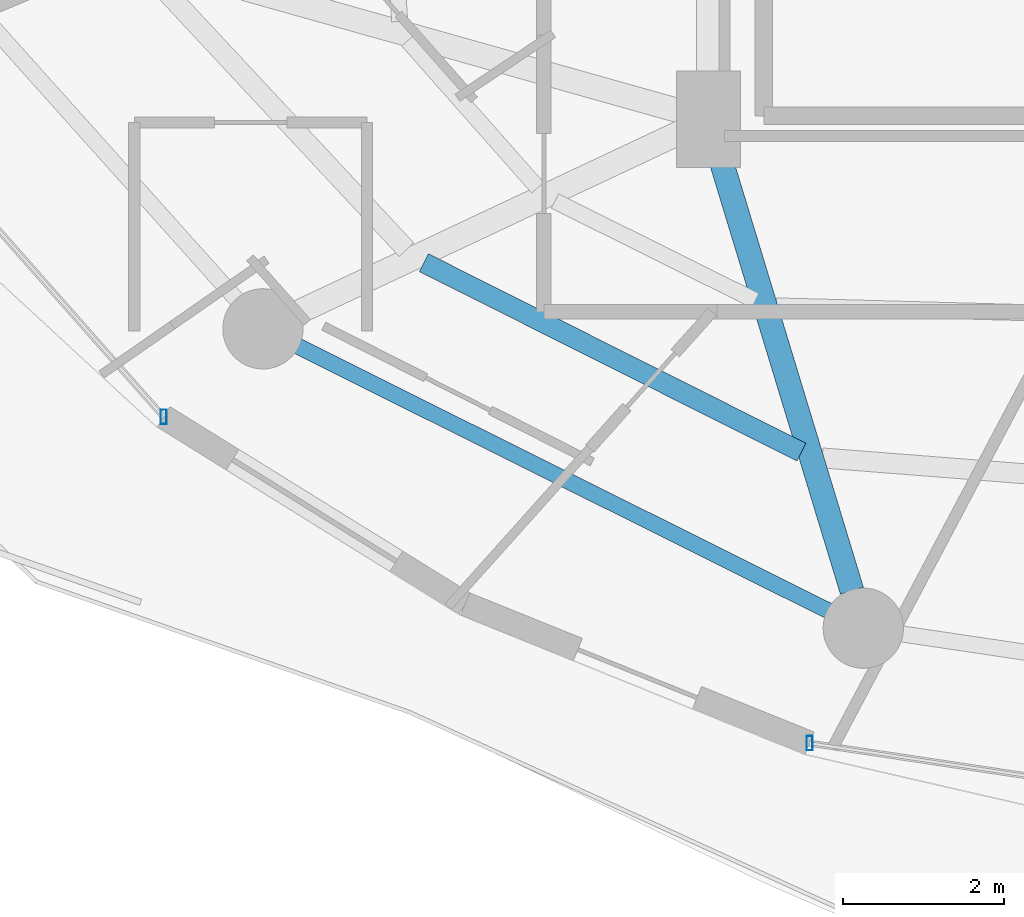
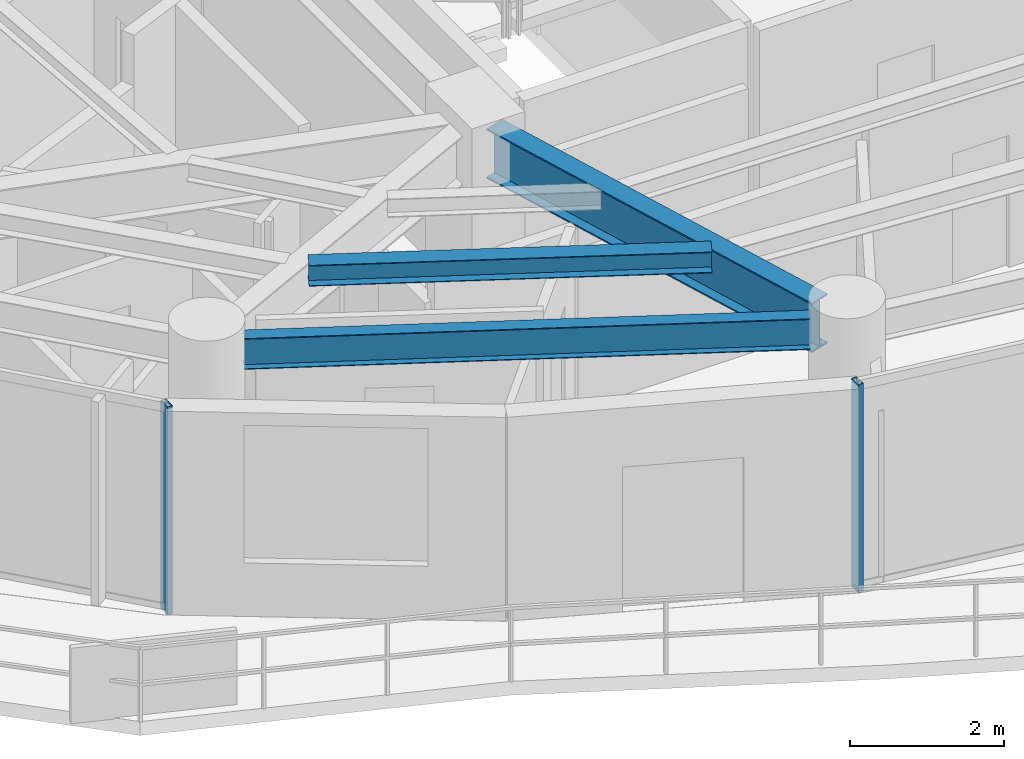
# One storey, part 2 of 28: 3 beams, 2 members, 2 elements without a shape of their own.
"""IFC4 building model written with IfcOpenShell, lengths in metres."""

from ifc_helpers import new_model, si_unit, direction, frame, origin, origin_2d, place, context, subcontext, project, spatial, hollow_rectangle, i_section, extrude, material, material_profile, profile_set, type_object, element, aggregate, save


model = new_model("IFC4")

# Units and contexts
model_context = context("Model", 3, precision=1e-05, world=origin(), true_north=direction((0.0, 1.0)))
body_context = subcontext(model_context, "Body", "Model", "MODEL_VIEW")
ifc_project = project(units=[si_unit("LENGTHUNIT", "METRE"), si_unit("AREAUNIT", "SQUARE_METRE"), si_unit("VOLUMEUNIT", "CUBIC_METRE"), si_unit("PLANEANGLEUNIT", "RADIAN"), si_unit("MASSUNIT", "GRAM", prefix="KILO")], contexts=[model_context])

# Site, building, storey
site_placement = place(None, origin())
site = spatial("IfcSite", under=ifc_project, at=site_placement, CompositionType="ELEMENT")
building_placement = place(site_placement, origin())
building = spatial("IfcBuilding", under=site, at=building_placement, Name="Vorneva Point Tower", CompositionType="ELEMENT")
storey_placement = place(building_placement, frame((0.0, 0.0, 164.10009765625)))
storey = spatial("IfcBuildingStorey", under=building, at=storey_placement, Name="L44", CompositionType="ELEMENT", Elevation=164.10009765625)

# Beams
ifc_material_1 = material(Name="Steel S355", Category="steel")
ifc_material_profile_1 = material_profile(ifc_material_1, i_section(OverallWidth=0.300048828125, OverallDepth=0.7880859375, WebThickness=0.014404296875, FlangeThickness=0.02197265625, at=origin_2d()), Name="80Sh1")
ifc_profile_set_1 = profile_set([ifc_material_profile_1], Name="Steel S355")
beam_type_1 = type_object("IfcBeamType", Name="BM-GRD-80Sh1", PredefinedType="USERDEFINED", material=ifc_profile_set_1)
beam_1_placement = place(storey_placement, frame((29.037109375, 10.576171875, 2.845947265625), z_axis=(-0.291049382966, 0.95670803105, 0.0), x_axis=(-0.95670803105, -0.291049382966, 0.0)))
element("IfcBeam", 1, at=beam_1_placement, inside=storey, type_object=beam_type_1, Name="L44 Radial Primary Girder 12", ObjectType="GIRDER", PredefinedType="USERDEFINED", context=body_context, shape_type="SweptSolid", body=[
    extrude(i_section(OverallWidth=0.300048828125, OverallDepth=0.7880859375, WebThickness=0.014404296875, FlangeThickness=0.02197265625, at=origin_2d()), origin(), (0.0, 0.0, 1.0), 5.799560546875),
])
ifc_material_profile_2 = material_profile(ifc_material_1, i_section(OverallWidth=0.2490234375, OverallDepth=0.333984375, WebThickness=0.008056640625, FlangeThickness=0.010986328125, at=origin_2d()), Name="35Sh1")
ifc_profile_set_2 = profile_set([ifc_material_profile_2], Name="Steel S355")
beam_type_2 = type_object("IfcBeamType", Name="BM-SEC-35Sh1", PredefinedType="BEAM", material=ifc_profile_set_2)
beam_2_placement = place(storey_placement, frame((23.7060546875, 14.66162109375, 3.072998046875), z_axis=(0.893776430112, -0.44851275676, 0.0), x_axis=(0.44851275676, 0.893776430112, 0.0)))
element("IfcBeam", 2, at=beam_2_placement, inside=storey, type_object=beam_type_2, Name="L44 Secondary Floor Beam 1.11", PredefinedType="BEAM", context=body_context, shape_type="SweptSolid", body=[
    extrude(i_section(OverallWidth=0.2490234375, OverallDepth=0.333984375, WebThickness=0.008056640625, FlangeThickness=0.010986328125, at=origin_2d()), origin(), (0.0, 0.0, 1.0), 5.260009765625),
])
ifc_material_profile_3 = material_profile(ifc_material_1, i_section(OverallWidth=0.199951171875, OverallDepth=0.491943359375, WebThickness=0.0087890625, FlangeThickness=0.011962890625, at=origin_2d()), Name="50B1")
ifc_profile_set_3 = profile_set([ifc_material_profile_3], Name="Steel S355")
beam_type_3 = type_object("IfcBeamType", Name="BM-SPN-50B1", PredefinedType="SPANDREL", material=ifc_profile_set_3)
beam_3_placement = place(storey_placement, frame((22.13525390625, 13.621337890625, 2.993896484375), z_axis=(0.894929061397, -0.446208443518, 0.0), x_axis=(0.446208443518, 0.894929061397, 0.0)))
element("IfcBeam", 3, at=beam_3_placement, inside=storey, type_object=beam_type_3, Name="L44 Perimeter Spandrel Ring Beam 11", PredefinedType="SPANDREL", context=body_context, shape_type="SweptSolid", body=[
    extrude(i_section(OverallWidth=0.199951171875, OverallDepth=0.491943359375, WebThickness=0.0087890625, FlangeThickness=0.011962890625, at=origin_2d()), origin(), (0.0, 0.0, 1.0), 7.385986328125),
])

# Curtain wall, member
ifc_material_2 = material(Name="Pale anodised aluminium", Category="aluminium")
curtain_wall_type = type_object("IfcCurtainWallType", Name="CW-RES-SYS", PredefinedType="NOTDEFINED", material=ifc_material_2)
curtain_wall_1_placement = place(storey_placement, origin())
curtain_wall_1 = element("IfcCurtainWall", 4, at=curtain_wall_1_placement, inside=storey, type_object=curtain_wall_type, Name="L44 Unitised Curtain Wall CW-L44-R03", PredefinedType="NOTDEFINED")
ifc_material_profile_4 = material_profile(ifc_material_2, hollow_rectangle(XDim=0.074951171875, YDim=0.179931640625, WallThickness=0.00390625, at=origin_2d()), Name="AL-MUL 180x75x4")
ifc_profile_set_4 = profile_set([ifc_material_profile_4], Name="Pale anodised aluminium")
member_type = type_object("IfcMemberType", Name="CW-MUL-180", PredefinedType="MULLION", material=ifc_profile_set_4)
member_1_placement = place(storey_placement, frame((20.4638671875, 12.74169921875, -0.0400390625), z_axis=(0.0, 0.0, 1.0), x_axis=(1.0, 0.0, 0.0)))
member_1 = element("IfcMember", 5, at=member_1_placement, type_object=member_type, Name="CW-L44-R03 Mullion 05", PredefinedType="MULLION", context=body_context, shape_type="SweptSolid", body=[
    extrude(hollow_rectangle(XDim=0.074951171875, YDim=0.179931640625, WallThickness=0.00390625, at=origin_2d()), origin(), (0.0, 0.0, 1.0), 3.31005859375),
])
aggregate(curtain_wall_1, [member_1])

curtain_wall_2_placement = place(storey_placement, origin())
curtain_wall_2 = element("IfcCurtainWall", 6, at=curtain_wall_2_placement, inside=storey, type_object=curtain_wall_type, Name="L44 Unitised Curtain Wall CW-L44-R04", PredefinedType="NOTDEFINED")
member_2_placement = place(storey_placement, frame((28.509521484375, 8.67724609375, -0.0400390625), z_axis=(0.0, 0.0, 1.0), x_axis=(1.0, 0.0, 0.0)))
member_2 = element("IfcMember", 7, at=member_2_placement, type_object=member_type, Name="CW-L44-R04 Mullion 01", PredefinedType="MULLION", context=body_context, shape_type="SweptSolid", body=[
    extrude(hollow_rectangle(XDim=0.074951171875, YDim=0.179931640625, WallThickness=0.00390625, at=origin_2d()), origin(), (0.0, 0.0, 1.0), 3.31005859375),
])
aggregate(curtain_wall_2, [member_2])

save(model, "model.ifc")
